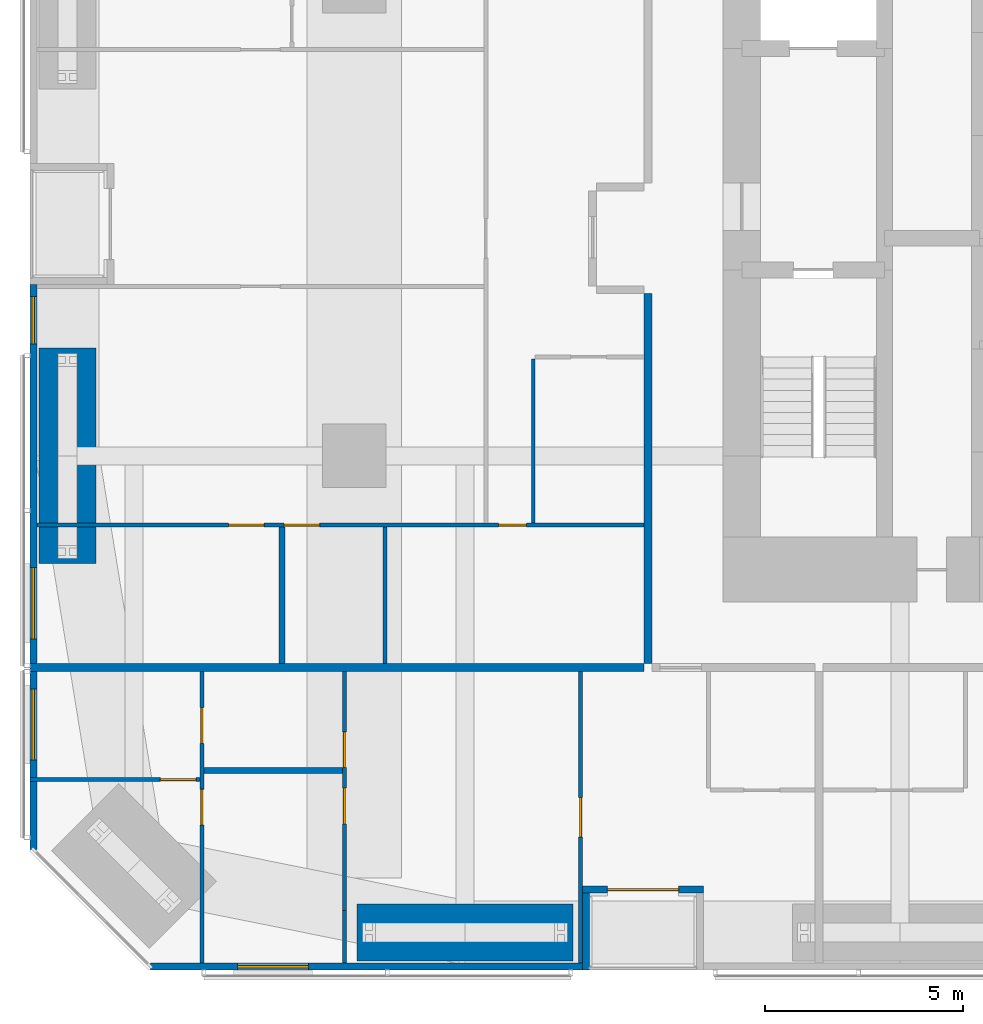
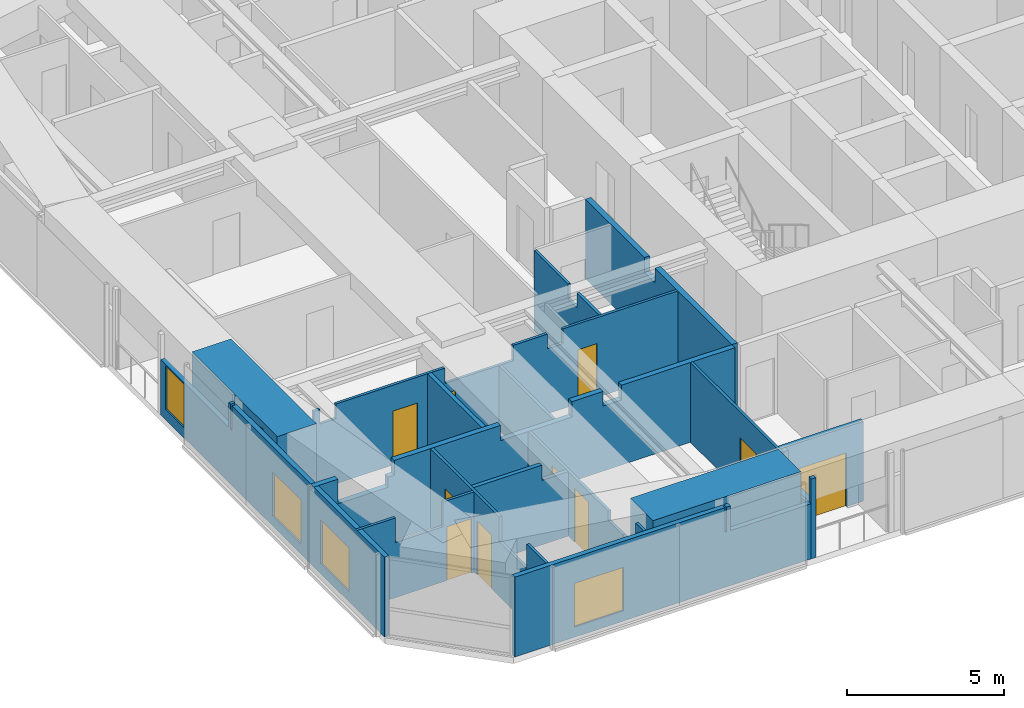
# One storey, part 16 of 23: 18 walls, 10 doors, 4 windows, 14 openings.
"""IFC4 building model written with IfcOpenShell, lengths in metres."""

import ifcopenshell
import ifcopenshell.guid

model = None  # the IFC model being written
_history = None  # IfcOwnerHistory: only IFC2X3 demands one
_inside = {}  # id of a spatial element -> (the spatial element, [elements in it])
_under = {}  # id of a project, library or spatial element -> (it, [spatial elements below it])
_declared = {}  # id of a project -> (the project, [libraries it declares])
_typed = {}  # id of a type object -> (the type object, [elements of that type])
_made_of = {}  # id of a material, layer set ... -> (it, [elements and type objects made of it])


def new_model(schema):
    """Start an empty IFC model of exactly this schema.

    Asked for "IFC4X3", IfcOpenShell would pick the latest addendum, in which some entities
    have other attributes; the version numbers below select the first issue.
    IFC2X3 requires an IfcOwnerHistory on every rooted entity: one is made here for all.
    """
    global model, _history
    if schema == "IFC4X3":
        model = ifcopenshell.file(schema_version=(4, 3, 0, 0))
    else:
        model = ifcopenshell.file(schema=schema)
    _inside.clear()
    _under.clear()
    _declared.clear()
    _typed.clear()
    _made_of.clear()
    _history = None
    if model.schema == "IFC2X3":
        org = make("IfcOrganization", Name="unknown")
        user = make(
            "IfcPersonAndOrganization",
            ThePerson=make("IfcPerson", FamilyName="unknown"),
            TheOrganization=org,
        )
        app = make(
            "IfcApplication",
            ApplicationDeveloper=org,
            Version="unknown",
            ApplicationFullName="unknown",
            ApplicationIdentifier="unknown",
        )
        _history = make(
            "IfcOwnerHistory",
            OwningUser=user,
            OwningApplication=app,
            ChangeAction="ADDED",
            CreationDate=0,
        )
    return model


def make(cls, **values):
    """One entity of the class cls with the attributes given. An attribute that is None is left unset."""
    return model.create_entity(
        cls, **{name: value for name, value in values.items() if value is not None}
    )


def rooted(cls, **values):
    """An entity with a GlobalId (a new one), such as an element, a storey or a relation."""
    return make(cls, GlobalId=ifcopenshell.guid.new(), OwnerHistory=_history, **values)


def si_unit(unit_type, name, prefix=None):
    """IfcSIUnit, for example si_unit("LENGTHUNIT", "METRE", prefix="MILLI")."""
    return make("IfcSIUnit", UnitType=unit_type, Prefix=prefix, Name=name)


def assignment(units):
    """IfcUnitAssignment: the units of a project."""
    return None if units is None else make("IfcUnitAssignment", Units=units)


def point(xyz):
    """IfcCartesianPoint."""
    return None if xyz is None else make("IfcCartesianPoint", Coordinates=xyz)


def direction(xyz):
    """IfcDirection."""
    return None if xyz is None else make("IfcDirection", DirectionRatios=xyz)


def frame(location, z_axis=None, x_axis=None):
    """IfcAxis2Placement3D, a coordinate frame: its origin and axes. An axis left out is left unset."""
    return make(
        "IfcAxis2Placement3D",
        Location=point(location),
        Axis=direction(z_axis),
        RefDirection=direction(x_axis),
    )


def frame_2d(location, x_axis=None):
    """IfcAxis2Placement2D, a coordinate frame in the plane: its origin and x axis."""
    return make(
        "IfcAxis2Placement2D", Location=point(location), RefDirection=direction(x_axis)
    )


def origin():
    """The frame at (0, 0, 0) with its axes left unset."""
    return frame((0.0, 0.0, 0.0))


def place(relative_to, where):
    """IfcLocalPlacement: puts the frame where relative to a parent placement (None: the world)."""
    return make(
        "IfcLocalPlacement", PlacementRelTo=relative_to, RelativePlacement=where
    )


def context(
    kind, dimensions, precision=None, world=None, true_north=None, identifier=None
):
    """IfcGeometricRepresentationContext, for example the 3D "Model" context."""
    return make(
        "IfcGeometricRepresentationContext",
        ContextIdentifier=identifier,
        ContextType=kind,
        CoordinateSpaceDimension=dimensions,
        Precision=precision,
        WorldCoordinateSystem=world,
        TrueNorth=true_north,
    )


def subcontext(parent, identifier, kind, view, scale=None):
    """IfcGeometricRepresentationSubContext, for example "Body" below "Model"."""
    return make(
        "IfcGeometricRepresentationSubContext",
        ContextIdentifier=identifier,
        ContextType=kind,
        ParentContext=parent,
        TargetScale=scale,
        TargetView=view,
    )


def project(units=None, contexts=None):
    """IfcProject with its units and contexts."""
    return rooted(
        "IfcProject",
        Name="project",
        RepresentationContexts=contexts,
        UnitsInContext=assignment(units),
    )


def spatial(cls, under=None, at=None, **own):
    """A site, building, storey or space (cls), placed at a placement, below another one or the project."""
    s = rooted(cls, ObjectPlacement=at, **own)
    if under is not None:
        _under.setdefault(under.id(), (under, []))[1].append(s)
    return s


def polyline(points):
    """IfcPolyline through the points."""
    return make("IfcPolyline", Points=[point(p) for p in points])


def profile(cls, at=None, kind="AREA", **sizes):
    """A parametric profile (cls). Its sizes go by their IFC names, for example OverallWidth=200.0."""
    return make(cls, ProfileType=kind, Position=at, **sizes)


def rectangle(**sizes):
    """IfcRectangleProfileDef."""
    return profile("IfcRectangleProfileDef", **sizes)


def outline(outer, holes=None, kind="AREA"):
    """IfcArbitraryClosedProfileDef: a profile drawn as a closed curve; with holes, ...WithVoids."""
    if holes is None:
        return make("IfcArbitraryClosedProfileDef", ProfileType=kind, OuterCurve=outer)
    return make(
        "IfcArbitraryProfileDefWithVoids",
        ProfileType=kind,
        OuterCurve=outer,
        InnerCurves=holes,
    )


def extrude(swept, where, along, depth):
    """IfcExtrudedAreaSolid: the profile swept, set in the frame where, extruded along a direction by depth."""
    return make(
        "IfcExtrudedAreaSolid",
        SweptArea=swept,
        Position=where,
        ExtrudedDirection=direction(along),
        Depth=depth,
    )


def shape(context_of_items, identifier, shape_type, items):
    """IfcShapeRepresentation: the items that make up one representation, for example the "Body"."""
    return make(
        "IfcShapeRepresentation",
        ContextOfItems=context_of_items,
        RepresentationIdentifier=identifier,
        RepresentationType=shape_type,
        Items=items,
    )


def material(Name=None, Category=None):
    """IfcMaterial."""
    return make("IfcMaterial", Name=Name, Category=Category)


def layer(
    of_material, thickness, ventilated=None, Name=None, Category=None, Priority=None
):
    """IfcMaterialLayer: one layer of a wall or slab, of a material (None: an air gap)."""
    return make(
        "IfcMaterialLayer",
        Material=of_material,
        LayerThickness=thickness,
        IsVentilated=ventilated,
        Name=Name,
        Category=Category,
        Priority=Priority,
    )


def layer_set(layers, Name=None):
    """IfcMaterialLayerSet."""
    return make("IfcMaterialLayerSet", MaterialLayers=layers, LayerSetName=Name)


def constituent(of_material, Name=None, Category=None, fraction=None):
    """IfcMaterialConstituent: one of the materials an element consists of."""
    return make(
        "IfcMaterialConstituent",
        Name=Name,
        Material=of_material,
        Fraction=fraction,
        Category=Category,
    )


def constituent_set(constituents=None, Name=None):
    """IfcMaterialConstituentSet."""
    return make(
        "IfcMaterialConstituentSet", Name=Name, MaterialConstituents=constituents
    )


def made_of(thing, what):
    """Note that an element or type object is made of a material, layer set ...; save() writes the relation."""
    if what is not None:
        _made_of.setdefault(what.id(), (what, []))[1].append(thing)
    return thing


def type_object(cls, material=None, **own):
    """A type object (cls), such as IfcWallType, which elements share."""
    return made_of(rooted(cls, **own), material)


def element(
    cls,
    number,
    at=None,
    inside=None,
    cuts=None,
    type_object=None,
    material=None,
    context=None,
    identifier="Body",
    shape_type=None,
    held_by="IfcProductDefinitionShape",
    body=None,
    shapes=None,
    **own,
):
    """One element of the class cls, such as IfcWall. Its Tag is "e" and its number.

    at: its placement. inside: the storey or other place that contains it. cuts: it is an
    opening in that element (IfcRelVoidsElement). A single representation is given by context,
    identifier, shape_type and body (its items); several are given by shapes. held_by: the class
    of the entity that holds the representations. save() writes the other relations.
    """
    e = rooted(cls, Tag="e%d" % number, ObjectPlacement=at, **own)
    if body is not None:
        shapes = [shape(context, identifier, shape_type, body)]
    if shapes is not None:
        e.Representation = make(held_by, Representations=shapes)
    if inside is not None:
        _inside.setdefault(inside.id(), (inside, []))[1].append(e)
    if cuts is not None:
        rooted(
            "IfcRelVoidsElement", RelatingBuildingElement=cuts, RelatedOpeningElement=e
        )
    if type_object is not None:
        _typed.setdefault(type_object.id(), (type_object, []))[1].append(e)
    return made_of(e, material)


def fill(opening, filler):
    """IfcRelFillsElement: the door or window that sits in an opening."""
    return rooted(
        "IfcRelFillsElement",
        RelatingOpeningElement=opening,
        RelatedBuildingElement=filler,
    )


def aggregate(whole, parts):
    """IfcRelAggregates: a whole, such as a stair, and the parts it consists of."""
    return rooted("IfcRelAggregates", RelatingObject=whole, RelatedObjects=parts)


def save(model, path):
    """Write the relations noted so far, then the file.

    IfcRelAggregates (storeys below a building ...), IfcRelContainedInSpatialStructure (elements
    in a storey), IfcRelDefinesByType, IfcRelAssociatesMaterial and IfcRelDeclares: one each for
    every whole, place, type object, material and project.
    """
    for whole, parts in _under.values():
        aggregate(whole, parts)
    for where, things in _inside.values():
        rooted(
            "IfcRelContainedInSpatialStructure",
            RelatedElements=things,
            RelatingStructure=where,
        )
    for kind, things in _typed.values():
        rooted("IfcRelDefinesByType", RelatedObjects=things, RelatingType=kind)
    for what, things in _made_of.values():
        rooted("IfcRelAssociatesMaterial", RelatedObjects=things, RelatingMaterial=what)
    for by, libraries in _declared.values():
        rooted("IfcRelDeclares", RelatingContext=by, RelatedDefinitions=libraries)
    model.write(path)


model = new_model("IFC4")

# Units and contexts
model_context = context("Model", 3, precision=1e-05, world=origin(), true_north=direction((0.0, 1.0)))
body_context = subcontext(model_context, "Body", "Model", "MODEL_VIEW")
ifc_project = project(units=[si_unit("LENGTHUNIT", "METRE"), si_unit("AREAUNIT", "SQUARE_METRE"), si_unit("VOLUMEUNIT", "CUBIC_METRE"), si_unit("PLANEANGLEUNIT", "RADIAN"), si_unit("MASSUNIT", "GRAM", prefix="KILO")], contexts=[model_context])

# Site, building, storey
site_placement = place(None, origin())
site = spatial("IfcSite", under=ifc_project, at=site_placement, CompositionType="ELEMENT")
building_placement = place(site_placement, origin())
building = spatial("IfcBuilding", under=site, at=building_placement, Name="Jalousie Tower", CompositionType="ELEMENT")
storey_placement = place(building_placement, frame((0.0, 0.0, 24.35009765625)))
storey = spatial("IfcBuildingStorey", under=building, at=storey_placement, Name="L05", CompositionType="ELEMENT", Elevation=24.35009765625)

# Walls
ifc_material_1 = material(Name="Concrete block ASTM C90", Category="concrete")
ifc_constituent_1 = constituent(ifc_material_1, Name="Body")
ifc_material_2 = material(Name="Render")
ifc_constituent_2 = constituent(ifc_material_2, Name="Finish")
ifc_constituent_set_1 = constituent_set(constituents=[ifc_constituent_1, ifc_constituent_2])
wall_type_1 = type_object("IfcWallType", Name="BATHROOM WALL 150", PredefinedType="PLUMBINGWALL", material=ifc_constituent_set_1)
wall_1_placement = place(storey_placement, frame((6.39990234375, 5.050048828125, 0.0), z_axis=(0.0, 0.0, 1.0), x_axis=(1.0, 0.0, 0.0)))
element("IfcWall", 1, at=wall_1_placement, inside=storey, type_object=wall_type_1, Name="Bathroom Wall 150 L05", PredefinedType="PLUMBINGWALL", context=body_context, shape_type="SweptSolid", body=[
    extrude(outline(polyline([(0.0, 0.0), (3.5, 0.0), (3.5, 3.10986328125), (3.5, 2.510009765625), (2.514892578125, 2.510009765625), (2.514892578125, 3.10986328125), (0.0, 3.10986328125), (0.0, 0.0)])), frame((0.0, 0.074951171875, 0.0), z_axis=(0.0, -1.0, 0.0), x_axis=(1.0, 0.0, 0.0)), (0.0, 0.0, 1.0), 0.14990234375),
])
wall_2_placement = place(storey_placement, frame((8.375, 7.75, 0.0), z_axis=(0.0, 0.0, 1.0), x_axis=(0.0, 1.0, 0.0)))
element("IfcWall", 2, at=wall_2_placement, inside=storey, type_object=wall_type_1, Name="Bathroom Wall 150 L05", PredefinedType="PLUMBINGWALL", context=body_context, shape_type="SweptSolid", body=[
    extrude(rectangle(XDim=3.449951171875, YDim=0.14990234375, at=frame_2d((1.72509765625, 0.0))), origin(), (0.0, 0.0, 1.0), 3.10986328125),
])
ifc_material_3 = material(Name="Concrete block ASTM C90", Category="concrete")
ifc_constituent_3 = constituent(ifc_material_3, Name="Body")
ifc_material_4 = material(Name="Render")
ifc_constituent_4 = constituent(ifc_material_4, Name="Finish")
ifc_constituent_set_2 = constituent_set(constituents=[ifc_constituent_3, ifc_constituent_4])
wall_type_2 = type_object("IfcWallType", Name="CORRIDOR WALL 200", PredefinedType="PARTITIONING", material=ifc_constituent_set_2)
wall_3_placement = place(storey_placement, frame((17.625, 7.75, 0.0), z_axis=(0.0, 0.0, 1.0), x_axis=(0.0, 1.0, 0.0)))
element("IfcWall", 3, at=wall_3_placement, inside=storey, type_object=wall_type_2, Name="Corridor Wall 200 L05", PredefinedType="PARTITIONING", context=body_context, shape_type="SweptSolid", body=[
    extrude(outline(polyline([(0.0, 0.0), (9.35009765625, 0.0), (9.35009765625, 3.10986328125), (5.58740234375, 3.10986328125), (5.58740234375, 2.541015625), (4.91259765625, 2.541015625), (4.91259765625, 3.10986328125), (0.0, 3.10986328125), (0.0, 0.0)])), frame((0.0, 0.10009765625, 0.0), z_axis=(0.0, -1.0, 0.0), x_axis=(1.0, 0.0, 0.0)), (0.0, 0.0, 1.0), 0.199951171875),
])

# Wall, opening, window
ifc_material_5 = material(Name="Concrete f'c 40 MPa", Category="concrete")
ifc_constituent_5 = constituent(ifc_material_5, Name="Body")
ifc_material_6 = material(Name="Render, pastel coral")
ifc_constituent_6 = constituent(ifc_material_6, Name="Finish")
ifc_constituent_set_3 = constituent_set(constituents=[ifc_constituent_5, ifc_constituent_6])
wall_type_3 = type_object("IfcWallType", Name="EXTERNAL WALL 175 CORAL RENDER", PredefinedType="SOLIDWALL", material=ifc_constituent_set_3)
wall_4_placement = place(storey_placement, frame((5.05126953125, 0.08740234375, 0.0), z_axis=(0.0, 0.0, 1.0), x_axis=(1.0, 0.0, 0.0)))
wall_4 = element("IfcWall", 4, at=wall_4_placement, inside=storey, type_object=wall_type_3, Name="External Wall 175 Coral Render L05", PredefinedType="SOLIDWALL", context=body_context, shape_type="SweptSolid", body=[
    extrude(outline(polyline([(0.0, 0.0), (10.923828125, 0.0), (10.923583984375, 2.14990234375), (7.94873046875, 2.14990234375), (7.94873046875, 3.10986328125), (7.79296875, 3.10986328125), (7.79296875, 2.14990234375), (7.74462890625, 2.14990234375), (7.74462890625, 3.10986328125), (0.0, 3.10986328125), (0.0, 0.0)])), frame((0.0, 0.08740234375, 0.0), z_axis=(0.0, -1.0, 0.0), x_axis=(1.0, 0.0, 0.0)), (0.0, 0.0, 1.0), 0.175048828125),
])
opening_1_placement = place(wall_4_placement, frame((2.19873046875, 0.0, 0.39990234375)))
opening_1 = element("IfcOpeningElement", 5, at=opening_1_placement, cuts=wall_4, Name="Opening W-BED170", PredefinedType="OPENING", context=body_context, shape_type="SweptSolid", body=[
    extrude(rectangle(XDim=1.800048828125, YDim=1.699951171875, at=frame_2d((0.89990234375, 0.85009765625))), frame((0.0, 0.097412109375, 0.0), z_axis=(0.0, -1.0, 0.0), x_axis=(1.0, 0.0, 0.0)), (0.0, 0.0, 1.0), 0.195068359375),
])
ifc_material_7 = material(Name="Aluminium frame, impact-rated glazing", Category="aluminium")
window_type_1 = type_object("IfcWindowType", Name="WINDOW BED 1800x1700", PartitioningType="SINGLE_PANEL", PredefinedType="WINDOW", material=ifc_material_7)
window_1_placement = place(opening_1_placement, origin())
window_1 = element("IfcWindow", 6, at=window_1_placement, inside=storey, type_object=window_type_1, Name="Apartment 0501 bedroom 2 window", OverallHeight=1.699951171875, OverallWidth=1.800048828125, PartitioningType="SINGLE_PANEL", PredefinedType="WINDOW", context=body_context, shape_type="SweptSolid", body=[
    extrude(rectangle(XDim=1.800048828125, YDim=1.699951171875, at=frame_2d((0.89990234375, 0.85009765625))), frame((0.0, 0.030029296875, 0.0), z_axis=(0.0, -1.0, 0.0), x_axis=(1.0, 0.0, 0.0)), (0.0, 0.0, 1.0), 0.06005859375),
])
fill(opening_1, window_1)

# Wall, opening, door
wall_5_placement = place(storey_placement, frame((15.97509765625, 2.03759765625, 0.0), z_axis=(0.0, 0.0, 1.0), x_axis=(1.0, 0.0, 0.0)))
wall_5 = element("IfcWall", 7, at=wall_5_placement, inside=storey, type_object=wall_type_3, Name="External Wall 175 Coral Render L05", PredefinedType="SOLIDWALL", context=body_context, shape_type="SweptSolid", body=[
    extrude(rectangle(XDim=3.0498046875, YDim=0.175048828125, at=frame_2d((1.52490234375, 0.0))), origin(), (0.0, 0.0, 1.0), 3.10986328125),
])
opening_2_placement = place(wall_5_placement, frame((0.625, 0.0, 0.0)))
opening_2 = element("IfcOpeningElement", 8, at=opening_2_placement, cuts=wall_5, Name="Opening D-BAL21", PredefinedType="OPENING", context=body_context, shape_type="SweptSolid", body=[
    extrude(rectangle(XDim=1.800048828125, YDim=2.10009765625, at=frame_2d((0.89990234375, 1.050048828125))), frame((0.0, 0.097412109375, 0.0), z_axis=(0.0, -1.0, 0.0), x_axis=(1.0, 0.0, 0.0)), (0.0, 0.0, 1.0), 0.195068359375),
])
ifc_material_8 = material(Name="Aluminium frame, impact-rated glazing", Category="aluminium")
door_type_1 = type_object("IfcDoorType", Name="BALCONY DOOR 1800x2100", OperationType="SLIDING_TO_LEFT", PredefinedType="DOOR", material=ifc_material_8)
door_1_placement = place(opening_2_placement, origin())
door_1 = element("IfcDoor", 9, at=door_1_placement, inside=storey, type_object=door_type_1, Name="Apartment 0501 living room loggia door", OperationType="SLIDING_TO_LEFT", OverallHeight=2.10009765625, OverallWidth=1.800048828125, PredefinedType="DOOR", context=body_context, shape_type="SweptSolid", body=[
    extrude(rectangle(XDim=1.800048828125, YDim=2.10009765625, at=frame_2d((0.89990234375, 1.050048828125))), frame((0.0, 0.02490234375, 0.0), z_axis=(0.0, -1.0, 0.0), x_axis=(1.0, 0.0, 0.0)), (0.0, 0.0, 1.0), 0.050048828125),
])
fill(opening_2, door_1)

# Wall
wall_6_placement = place(storey_placement, frame((16.0625, 0.0, 0.0), z_axis=(0.0, 0.0, 1.0), x_axis=(0.0, 1.0, 0.0)))
element("IfcWall", 10, at=wall_6_placement, inside=storey, type_object=wall_type_3, Name="External Wall 175 Coral Render L05", PredefinedType="SOLIDWALL", context=body_context, shape_type="SweptSolid", body=[
    extrude(outline(polyline([(0.0, 0.0), (1.949951171875, 0.0), (1.949951171875, 3.10986328125), (1.75, 3.10986328125), (1.75, 2.14990234375), (0.14990234375, 2.14990234375), (0.14990234375, 3.10986328125), (0.0, 3.10986328125), (0.0, 0.0)])), frame((0.0, 0.08740234375, 0.0), z_axis=(0.0, -1.0, 0.0), x_axis=(1.0, 0.0, 0.0)), (0.0, 0.0, 1.0), 0.175048828125),
])

# Wall, openings, windows
wall_7_placement = place(storey_placement, frame((2.08740234375, 17.333251953125, 0.0), z_axis=(0.0, 0.0, 1.0), x_axis=(0.0, -1.0, 0.0)))
wall_7 = element("IfcWall", 11, at=wall_7_placement, inside=storey, type_object=wall_type_3, Name="External Wall 175 Coral Render L05", PredefinedType="SOLIDWALL", context=body_context, shape_type="SweptSolid", body=[
    extrude(outline(polyline([(0.0, 0.0), (14.281982421875, 0.0), (14.281982421875, 3.10986328125), (4.552001953125, 3.10986328125), (4.552001953125, 2.14990234375), (4.458984375, 2.14990234375), (4.458984375, 3.10986328125), (4.333251953125, 3.10986328125), (4.333251953125, 2.14990234375), (0.0, 2.14990234375), (0.0, 0.0)])), frame((0.0, 0.08740234375, 0.0), z_axis=(0.0, -1.0, 0.0), x_axis=(1.0, 0.0, 0.0)), (0.0, 0.0, 1.0), 0.175048828125),
])
opening_3_placement = place(wall_7_placement, frame((0.300048828125, 0.0, 0.39990234375)))
opening_3 = element("IfcOpeningElement", 12, at=opening_3_placement, cuts=wall_7, Name="Opening W-COR170", PredefinedType="OPENING", context=body_context, shape_type="SweptSolid", body=[
    extrude(rectangle(XDim=1.199951171875, YDim=1.699951171875, at=frame_2d((0.60009765625, 0.85009765625))), frame((0.0, 0.097412109375, 0.0), z_axis=(0.0, -1.0, 0.0), x_axis=(1.0, 0.0, 0.0)), (0.0, 0.0, 1.0), 0.195068359375),
])
opening_4_placement = place(wall_7_placement, frame((7.158203125, 0.0, 0.39990234375)))
opening_4 = element("IfcOpeningElement", 13, at=opening_4_placement, cuts=wall_7, Name="Opening W-BED170", PredefinedType="OPENING", context=body_context, shape_type="SweptSolid", body=[
    extrude(rectangle(XDim=1.800048828125, YDim=1.699951171875, at=frame_2d((0.89990234375, 0.85009765625))), frame((0.0, 0.097412109375, 0.0), z_axis=(0.0, -1.0, 0.0), x_axis=(1.0, 0.0, 0.0)), (0.0, 0.0, 1.0), 0.195068359375),
])
opening_5_placement = place(wall_7_placement, frame((10.224609375, 0.0, 0.39990234375)))
opening_5 = element("IfcOpeningElement", 14, at=opening_5_placement, cuts=wall_7, Name="Opening W-BED170", PredefinedType="OPENING", context=body_context, shape_type="SweptSolid", body=[
    extrude(rectangle(XDim=1.800048828125, YDim=1.699951171875, at=frame_2d((0.89990234375, 0.85009765625))), frame((0.0, 0.097412109375, 0.0), z_axis=(0.0, -1.0, 0.0), x_axis=(1.0, 0.0, 0.0)), (0.0, 0.0, 1.0), 0.195068359375),
])
window_2_placement = place(opening_4_placement, origin())
window_2 = element("IfcWindow", 15, at=window_2_placement, inside=storey, type_object=window_type_1, Name="Apartment 0506 bedroom 1 window", OverallHeight=1.699951171875, OverallWidth=1.800048828125, PartitioningType="SINGLE_PANEL", PredefinedType="WINDOW", context=body_context, shape_type="SweptSolid", body=[
    extrude(rectangle(XDim=1.800048828125, YDim=1.699951171875, at=frame_2d((0.89990234375, 0.85009765625))), frame((0.0, 0.030029296875, 0.0), z_axis=(0.0, -1.0, 0.0), x_axis=(1.0, 0.0, 0.0)), (0.0, 0.0, 1.0), 0.06005859375),
])
fill(opening_4, window_2)
window_3_placement = place(opening_5_placement, origin())
window_3 = element("IfcWindow", 16, at=window_3_placement, inside=storey, type_object=window_type_1, Name="Apartment 0501 bedroom 1 window", OverallHeight=1.699951171875, OverallWidth=1.800048828125, PartitioningType="SINGLE_PANEL", PredefinedType="WINDOW", context=body_context, shape_type="SweptSolid", body=[
    extrude(rectangle(XDim=1.800048828125, YDim=1.699951171875, at=frame_2d((0.89990234375, 0.85009765625))), frame((0.0, 0.030029296875, 0.0), z_axis=(0.0, -1.0, 0.0), x_axis=(1.0, 0.0, 0.0)), (0.0, 0.0, 1.0), 0.06005859375),
])
fill(opening_5, window_3)
ifc_material_9 = material(Name="Aluminium frame, impact-rated glazing", Category="aluminium")
window_type_2 = type_object("IfcWindowType", Name="WINDOW COR 1200x1700", PartitioningType="SINGLE_PANEL", PredefinedType="WINDOW", material=ifc_material_9)
window_4_placement = place(opening_3_placement, origin())
window_4 = element("IfcWindow", 17, at=window_4_placement, inside=storey, type_object=window_type_2, Name="Apartment 0506 dining room window", OverallHeight=1.699951171875, OverallWidth=1.199951171875, PartitioningType="SINGLE_PANEL", PredefinedType="WINDOW", context=body_context, shape_type="SweptSolid", body=[
    extrude(rectangle(XDim=1.199951171875, YDim=1.699951171875, at=frame_2d((0.60009765625, 0.85009765625))), frame((0.0, 0.030029296875, 0.0), z_axis=(0.0, -1.0, 0.0), x_axis=(1.0, 0.0, 0.0)), (0.0, 0.0, 1.0), 0.06005859375),
])
fill(opening_3, window_4)

# Wall, openings, doors
ifc_material_10 = material(Name="Gypsum board", Category="gypsum")
ifc_constituent_7 = constituent(ifc_material_10, Name="Body")
ifc_material_11 = material(Name="Light-gauge steel studs ASTM A653 SS Grade 33", Category="steel")
ifc_constituent_8 = constituent(ifc_material_11, Name="Framing")
ifc_constituent_set_4 = constituent_set(constituents=[ifc_constituent_7, ifc_constituent_8])
wall_type_4 = type_object("IfcWallType", Name="PARTITION 100", PredefinedType="PARTITIONING", material=ifc_constituent_set_4)
wall_8_placement = place(storey_placement, frame((6.35009765625, 0.175048828125, 0.0), z_axis=(0.0, 0.0, 1.0), x_axis=(0.0, 1.0, 0.0)))
wall_8 = element("IfcWall", 18, at=wall_8_placement, inside=storey, type_object=wall_type_4, Name="Partition 100 L05", PredefinedType="PARTITIONING", context=body_context, shape_type="SweptSolid", body=[
    extrude(outline(polyline([(0.0, 0.0), (7.375, 0.0), (7.375, 3.10986328125), (2.98828125, 3.10986328125), (2.98828125, 2.14990234375), (1.23388671875, 2.14990234375), (1.23388671875, 3.10986328125), (0.0, 3.10986328125), (0.0, 0.0)])), frame((0.0, 0.050048828125, 0.0), z_axis=(0.0, -1.0, 0.0), x_axis=(1.0, 0.0, 0.0)), (0.0, 0.0, 1.0), 0.10009765625),
])
opening_6_placement = place(wall_8_placement, frame((3.492431640625, 0.0, 0.0)))
opening_6 = element("IfcOpeningElement", 19, at=opening_6_placement, cuts=wall_8, Name="Opening D2", PredefinedType="OPENING", context=body_context, shape_type="SweptSolid", body=[
    extrude(rectangle(XDim=0.89990234375, YDim=2.10009765625, at=frame_2d((0.449951171875, 1.050048828125))), frame((0.0, 0.06005859375, 0.0), z_axis=(0.0, -1.0, 0.0), x_axis=(1.0, 0.0, 0.0)), (0.0, 0.0, 1.0), 0.1201171875),
])
opening_7_placement = place(wall_8_placement, frame((5.55859375, 0.0, 0.0)))
opening_7 = element("IfcOpeningElement", 20, at=opening_7_placement, cuts=wall_8, Name="Opening D3", PredefinedType="OPENING", context=body_context, shape_type="SweptSolid", body=[
    extrude(rectangle(XDim=0.89990234375, YDim=2.10009765625, at=frame_2d((0.449951171875, 1.050048828125))), frame((0.0, 0.06005859375, 0.0), z_axis=(0.0, -1.0, 0.0), x_axis=(1.0, 0.0, 0.0)), (0.0, 0.0, 1.0), 0.1201171875),
])
ifc_material_12 = material(Name="Timber door", Category="wood")
door_type_2 = type_object("IfcDoorType", Name="BATHROOM DOOR 900", OperationType="SINGLE_SWING_LEFT", PredefinedType="DOOR", material=ifc_material_12)
door_2_placement = place(opening_7_placement, frame((0.89990234375, 0.0, 0.0), z_axis=(0.0, 0.0, 1.0), x_axis=(-1.0, 0.0, 0.0)))
door_2 = element("IfcDoor", 21, at=door_2_placement, inside=storey, type_object=door_type_2, Name="Apartment 0501 bedroom 1 bathroom door", OperationType="SINGLE_SWING_RIGHT", OverallHeight=2.10009765625, OverallWidth=0.89990234375, PredefinedType="DOOR", context=body_context, shape_type="SweptSolid", body=[
    extrude(rectangle(XDim=0.89990234375, YDim=2.10009765625, at=frame_2d((0.449951171875, 1.050048828125))), frame((0.0, 0.02490234375, 0.0), z_axis=(0.0, -1.0, 0.0), x_axis=(1.0, 0.0, 0.0)), (0.0, 0.0, 1.0), 0.050048828125),
])
fill(opening_7, door_2)
ifc_material_13 = material(Name="Timber door", Category="wood")
door_type_3 = type_object("IfcDoorType", Name="BEDROOM DOOR 900", OperationType="SINGLE_SWING_LEFT", PredefinedType="DOOR", material=ifc_material_13)
door_3_placement = place(opening_6_placement, frame((0.89990234375, 0.0, 0.0), z_axis=(0.0, 0.0, 1.0), x_axis=(-1.0, 0.0, 0.0)))
door_3 = element("IfcDoor", 22, at=door_3_placement, inside=storey, type_object=door_type_3, Name="Apartment 0501 bedroom 1 door", OperationType="SINGLE_SWING_LEFT", OverallHeight=2.10009765625, OverallWidth=0.89990234375, PredefinedType="DOOR", context=body_context, shape_type="SweptSolid", body=[
    extrude(rectangle(XDim=0.89990234375, YDim=2.10009765625, at=frame_2d((0.449951171875, 1.050048828125))), frame((0.0, 0.02490234375, 0.0), z_axis=(0.0, -1.0, 0.0), x_axis=(1.0, 0.0, 0.0)), (0.0, 0.0, 1.0), 0.050048828125),
])
fill(opening_6, door_3)

# Wall
wall_9_placement = place(storey_placement, frame((9.949951171875, 0.175048828125, 0.0), z_axis=(0.0, 0.0, 1.0), x_axis=(0.0, 1.0, 0.0)))
element("IfcWall", 23, at=wall_9_placement, inside=storey, type_object=wall_type_4, Name="Partition 100 L05-A", PredefinedType="PARTITIONING", context=body_context, shape_type="SweptSolid", body=[
    extrude(outline(polyline([(0.0, 0.0), (1.337646484375, 0.0), (1.337646484375, 2.14990234375), (0.510498046875, 2.14990234375), (0.510498046875, 3.10986328125), (0.0, 3.10986328125), (0.0, 0.0)])), frame((0.0, 0.050048828125, 0.0), z_axis=(0.0, -1.0, 0.0), x_axis=(1.0, 0.0, 0.0)), (0.0, 0.0, 1.0), 0.10009765625),
])

# Wall, openings, doors
wall_10_placement = place(storey_placement, frame((9.949951171875, 1.5126953125, 0.0), z_axis=(0.0, 0.0, 1.0), x_axis=(0.0, 1.0, 0.0)))
wall_10 = element("IfcWall", 24, at=wall_10_placement, inside=storey, type_object=wall_type_4, Name="Partition 100 L05-B", PredefinedType="PARTITIONING", context=body_context, shape_type="SweptSolid", body=[
    extrude(outline(polyline([(0.0, 0.0), (6.037353515625, 0.0), (6.037353515625, 2.510009765625), (0.927490234375, 2.510009765625), (0.927490234375, 2.14990234375), (0.0, 2.14990234375), (0.0, 0.0)])), frame((0.0, 0.050048828125, 0.0), z_axis=(0.0, -1.0, 0.0), x_axis=(1.0, 0.0, 0.0)), (0.0, 0.0, 1.0), 0.10009765625),
])
opening_8_placement = place(wall_10_placement, frame((2.1875, 0.0, 0.0)))
opening_8 = element("IfcOpeningElement", 25, at=opening_8_placement, cuts=wall_10, Name="Opening D2", PredefinedType="OPENING", context=body_context, shape_type="SweptSolid", body=[
    extrude(rectangle(XDim=0.89990234375, YDim=2.10009765625, at=frame_2d((0.449951171875, 1.050048828125))), frame((0.0, 0.06005859375, 0.0), z_axis=(0.0, -1.0, 0.0), x_axis=(1.0, 0.0, 0.0)), (0.0, 0.0, 1.0), 0.1201171875),
])
opening_9_placement = place(wall_10_placement, frame((3.6123046875, 0.0, 0.0)))
opening_9 = element("IfcOpeningElement", 26, at=opening_9_placement, cuts=wall_10, Name="Opening D7", PredefinedType="OPENING", context=body_context, shape_type="SweptSolid", body=[
    extrude(rectangle(XDim=0.89990234375, YDim=2.10009765625, at=frame_2d((0.449951171875, 1.050048828125))), frame((0.0, 0.06005859375, 0.0), z_axis=(0.0, -1.0, 0.0), x_axis=(1.0, 0.0, 0.0)), (0.0, 0.0, 1.0), 0.1201171875),
])
door_4_placement = place(opening_8_placement, origin())
door_4 = element("IfcDoor", 27, at=door_4_placement, inside=storey, type_object=door_type_3, Name="Apartment 0501 bedroom 2 door", OperationType="SINGLE_SWING_RIGHT", OverallHeight=2.10009765625, OverallWidth=0.89990234375, PredefinedType="DOOR", context=body_context, shape_type="SweptSolid", body=[
    extrude(rectangle(XDim=0.89990234375, YDim=2.10009765625, at=frame_2d((0.449951171875, 1.050048828125))), frame((0.0, 0.02490234375, 0.0), z_axis=(0.0, -1.0, 0.0), x_axis=(1.0, 0.0, 0.0)), (0.0, 0.0, 1.0), 0.050048828125),
])
fill(opening_8, door_4)
ifc_material_14 = material(Name="Timber door", Category="wood")
door_type_4 = type_object("IfcDoorType", Name="INTERNAL DOOR 900", OperationType="SINGLE_SWING_LEFT", PredefinedType="DOOR", material=ifc_material_14)
door_5_placement = place(opening_9_placement, origin())
door_5 = element("IfcDoor", 28, at=door_5_placement, inside=storey, type_object=door_type_4, Name="Apartment 0501 bathroom door", OperationType="SINGLE_SWING_LEFT", OverallHeight=2.10009765625, OverallWidth=0.89990234375, PredefinedType="DOOR", context=body_context, shape_type="SweptSolid", body=[
    extrude(rectangle(XDim=0.89990234375, YDim=2.10009765625, at=frame_2d((0.449951171875, 1.050048828125))), frame((0.0, 0.02490234375, 0.0), z_axis=(0.0, -1.0, 0.0), x_axis=(1.0, 0.0, 0.0)), (0.0, 0.0, 1.0), 0.050048828125),
])
fill(opening_9, door_5)

# Wall, opening, door
wall_11_placement = place(storey_placement, frame((2.0, 4.8173828125, 0.0), z_axis=(0.0, 0.0, 1.0), x_axis=(1.0, 0.0, 0.0)))
wall_11 = element("IfcWall", 29, at=wall_11_placement, inside=storey, type_object=wall_type_4, Name="Partition 100 L05", PredefinedType="PARTITIONING", context=body_context, shape_type="SweptSolid", body=[
    extrude(outline(polyline([(0.0, 0.0), (4.300048828125, 0.0), (4.300048828125, 3.10986328125), (3.148193359375, 3.10986328125), (3.148193359375, 2.14990234375), (1.40576171875, 2.14990234375), (1.40576171875, 3.10986328125), (0.0, 3.10986328125), (0.0, 0.0)])), frame((0.0, 0.050048828125, 0.0), z_axis=(0.0, -1.0, 0.0), x_axis=(1.0, 0.0, 0.0)), (0.0, 0.0, 1.0), 0.10009765625),
])
opening_10_placement = place(wall_11_placement, frame((3.300048828125, 0.0, 0.0)))
opening_10 = element("IfcOpeningElement", 30, at=opening_10_placement, cuts=wall_11, Name="Opening D7", PredefinedType="OPENING", context=body_context, shape_type="SweptSolid", body=[
    extrude(rectangle(XDim=0.89990234375, YDim=2.10009765625, at=frame_2d((0.449951171875, 1.050048828125))), frame((0.0, 0.06005859375, 0.0), z_axis=(0.0, -1.0, 0.0), x_axis=(1.0, 0.0, 0.0)), (0.0, 0.0, 1.0), 0.1201171875),
])
door_6_placement = place(opening_10_placement, origin())
door_6 = element("IfcDoor", 31, at=door_6_placement, inside=storey, type_object=door_type_4, Name="Apartment 0501 bedroom 1 dressing hall door", OperationType="SINGLE_SWING_RIGHT", OverallHeight=2.10009765625, OverallWidth=0.89990234375, PredefinedType="DOOR", context=body_context, shape_type="SweptSolid", body=[
    extrude(rectangle(XDim=0.89990234375, YDim=2.10009765625, at=frame_2d((0.449951171875, 1.050048828125))), frame((0.0, 0.02490234375, 0.0), z_axis=(0.0, -1.0, 0.0), x_axis=(1.0, 0.0, 0.0)), (0.0, 0.0, 1.0), 0.050048828125),
])
fill(opening_10, door_6)

wall_12_placement = place(storey_placement, frame((15.925048828125, 0.175048828125, 0.0), z_axis=(0.0, 0.0, 1.0), x_axis=(0.0, 1.0, 0.0)))
wall_12 = element("IfcWall", 32, at=wall_12_placement, inside=storey, type_object=wall_type_4, Name="Partition 100 L05", PredefinedType="PARTITIONING", context=body_context, shape_type="SweptSolid", body=[
    extrude(outline(polyline([(0.0, 0.0), (7.375, 0.0), (7.375, 3.10986328125), (1.635009765625, 3.10986328125), (1.635009765625, 2.14990234375), (0.0, 2.14990234375), (0.0, 3.10986328125), (0.0, 0.0)])), frame((0.0, 0.050048828125, 0.0), z_axis=(0.0, -1.0, 0.0), x_axis=(1.0, 0.0, 0.0)), (0.0, 0.0, 1.0), 0.10009765625),
])
opening_11_placement = place(wall_12_placement, frame((3.1875, 0.0, 0.0)))
opening_11 = element("IfcOpeningElement", 33, at=opening_11_placement, cuts=wall_12, Name="Opening D6", PredefinedType="OPENING", context=body_context, shape_type="SweptSolid", body=[
    extrude(rectangle(XDim=1.0, YDim=2.10009765625, at=frame_2d((0.5, 1.050048828125))), frame((0.0, 0.06005859375, 0.0), z_axis=(0.0, -1.0, 0.0), x_axis=(1.0, 0.0, 0.0)), (0.0, 0.0, 1.0), 0.1201171875),
])
ifc_material_15 = material(Name="Timber door", Category="wood")
door_type_5 = type_object("IfcDoorType", Name="INTERNAL DOOR 1000", OperationType="SINGLE_SWING_LEFT", PredefinedType="DOOR", material=ifc_material_15)
door_7_placement = place(opening_11_placement, origin())
door_7 = element("IfcDoor", 34, at=door_7_placement, inside=storey, type_object=door_type_5, Name="Apartment 0501 dining room door", OperationType="SINGLE_SWING_LEFT", OverallHeight=2.10009765625, OverallWidth=1.0, PredefinedType="DOOR", context=body_context, shape_type="SweptSolid", body=[
    extrude(rectangle(XDim=1.0, YDim=2.10009765625, at=frame_2d((0.5, 1.050048828125))), frame((0.0, 0.02490234375, 0.0), z_axis=(0.0, -1.0, 0.0), x_axis=(1.0, 0.0, 0.0)), (0.0, 0.0, 1.0), 0.050048828125),
])
fill(opening_11, door_7)

# Wall, openings, doors
wall_13_placement = place(storey_placement, frame((2.175048828125, 11.25, 0.0), z_axis=(0.0, 0.0, 1.0), x_axis=(1.0, 0.0, 0.0)))
wall_13 = element("IfcWall", 35, at=wall_13_placement, inside=storey, type_object=wall_type_4, Name="Partition 100 L05", PredefinedType="PARTITIONING", context=body_context, shape_type="SweptSolid", body=[
    extrude(outline(polyline([(0.1875, 3.10986328125), (0.0, 3.10986328125), (0.0, 0.0), (0.52880859375, 0.0), (0.52880859375, 0.2626953125), (1.021240234375, 0.2626953125), (1.021240234375, 0.0), (15.35009765625, 0.0), (15.35009765625, 3.10986328125), (11.1123046875, 3.10986328125), (11.1123046875, 2.541015625), (10.53759765625, 2.541015625), (10.53759765625, 3.10986328125), (9.284912109375, 3.10986328125), (9.284912109375, 2.510009765625), (6.764892578125, 2.510009765625), (6.764892578125, 3.10986328125), (2.743896484375, 3.10986328125), (2.743896484375, 2.541015625), (2.169189453125, 2.541015625), (2.169189453125, 3.10986328125), (1.929931640625, 3.10986328125), (1.929931640625, 2.14990234375), (1.021240234375, 2.14990234375), (1.021240234375, 1.88720703125), (0.52880859375, 1.88720703125), (0.52880859375, 2.14990234375), (0.1875, 2.14990234375), (0.1875, 3.10986328125)])), frame((0.0, 0.050048828125, 0.0), z_axis=(0.0, -1.0, 0.0), x_axis=(1.0, 0.0, 0.0)), (0.0, 0.0, 1.0), 0.10009765625),
])
opening_12_placement = place(wall_13_placement, frame((4.85009765625, 0.0, 0.0)))
opening_12 = element("IfcOpeningElement", 36, at=opening_12_placement, cuts=wall_13, Name="Opening D2", PredefinedType="OPENING", context=body_context, shape_type="SweptSolid", body=[
    extrude(rectangle(XDim=0.89990234375, YDim=2.10009765625, at=frame_2d((0.449951171875, 1.050048828125))), frame((0.0, 0.06005859375, 0.0), z_axis=(0.0, -1.0, 0.0), x_axis=(1.0, 0.0, 0.0)), (0.0, 0.0, 1.0), 0.1201171875),
])
opening_13_placement = place(wall_13_placement, frame((6.25, 0.0, 0.0)))
opening_13 = element("IfcOpeningElement", 37, at=opening_13_placement, cuts=wall_13, Name="Opening D7", PredefinedType="OPENING", context=body_context, shape_type="SweptSolid", body=[
    extrude(rectangle(XDim=0.89990234375, YDim=2.10009765625, at=frame_2d((0.449951171875, 1.050048828125))), frame((0.0, 0.06005859375, 0.0), z_axis=(0.0, -1.0, 0.0), x_axis=(1.0, 0.0, 0.0)), (0.0, 0.0, 1.0), 0.1201171875),
])
opening_14_placement = place(wall_13_placement, frame((11.675048828125, 0.0, 0.0)))
opening_14 = element("IfcOpeningElement", 38, at=opening_14_placement, cuts=wall_13, Name="Opening D4", PredefinedType="OPENING", context=body_context, shape_type="SweptSolid", body=[
    extrude(rectangle(XDim=0.699951171875, YDim=2.10009765625, at=frame_2d((0.35009765625, 1.050048828125))), frame((0.0, 0.06005859375, 0.0), z_axis=(0.0, -1.0, 0.0), x_axis=(1.0, 0.0, 0.0)), (0.0, 0.0, 1.0), 0.1201171875),
])
door_8_placement = place(opening_12_placement, frame((0.89990234375, 0.0, 0.0), z_axis=(0.0, 0.0, 1.0), x_axis=(-1.0, 0.0, 0.0)))
door_8 = element("IfcDoor", 39, at=door_8_placement, inside=storey, type_object=door_type_3, Name="Apartment 0506 bedroom 1 door", OperationType="SINGLE_SWING_LEFT", OverallHeight=2.10009765625, OverallWidth=0.89990234375, PredefinedType="DOOR", context=body_context, shape_type="SweptSolid", body=[
    extrude(rectangle(XDim=0.89990234375, YDim=2.10009765625, at=frame_2d((0.449951171875, 1.050048828125))), frame((0.0, 0.02490234375, 0.0), z_axis=(0.0, -1.0, 0.0), x_axis=(1.0, 0.0, 0.0)), (0.0, 0.0, 1.0), 0.050048828125),
])
fill(opening_12, door_8)
door_9_placement = place(opening_13_placement, frame((0.89990234375, 0.0, 0.0), z_axis=(0.0, 0.0, 1.0), x_axis=(-1.0, 0.0, 0.0)))
door_9 = element("IfcDoor", 40, at=door_9_placement, inside=storey, type_object=door_type_4, Name="Apartment 0506 bathroom door", OperationType="SINGLE_SWING_RIGHT", OverallHeight=2.10009765625, OverallWidth=0.89990234375, PredefinedType="DOOR", context=body_context, shape_type="SweptSolid", body=[
    extrude(rectangle(XDim=0.89990234375, YDim=2.10009765625, at=frame_2d((0.449951171875, 1.050048828125))), frame((0.0, 0.02490234375, 0.0), z_axis=(0.0, -1.0, 0.0), x_axis=(1.0, 0.0, 0.0)), (0.0, 0.0, 1.0), 0.050048828125),
])
fill(opening_13, door_9)
ifc_material_16 = material(Name="Timber door", Category="wood")
door_type_6 = type_object("IfcDoorType", Name="STORE DOOR 700", OperationType="SINGLE_SWING_LEFT", PredefinedType="DOOR", material=ifc_material_16)
door_10_placement = place(opening_14_placement, frame((0.699951171875, 0.0, 0.0), z_axis=(0.0, 0.0, 1.0), x_axis=(-1.0, 0.0, 0.0)))
door_10 = element("IfcDoor", 41, at=door_10_placement, inside=storey, type_object=door_type_6, Name="Apartment 0506 store door", OperationType="SINGLE_SWING_RIGHT", OverallHeight=2.10009765625, OverallWidth=0.699951171875, PredefinedType="DOOR", context=body_context, shape_type="SweptSolid", body=[
    extrude(rectangle(XDim=0.699951171875, YDim=2.10009765625, at=frame_2d((0.35009765625, 1.050048828125))), frame((0.0, 0.02490234375, 0.0), z_axis=(0.0, -1.0, 0.0), x_axis=(1.0, 0.0, 0.0)), (0.0, 0.0, 1.0), 0.050048828125),
])
fill(opening_14, door_10)

# Walls
wall_14_placement = place(storey_placement, frame((10.97509765625, 7.75, 0.0), z_axis=(0.0, 0.0, 1.0), x_axis=(0.0, 1.0, 0.0)))
element("IfcWall", 42, at=wall_14_placement, inside=storey, type_object=wall_type_4, Name="Partition 100 L05", PredefinedType="PARTITIONING", context=body_context, shape_type="SweptSolid", body=[
    extrude(outline(polyline([(0.0, 0.0), (3.449951171875, 0.0), (3.449951171875, 3.10986328125), (3.449951171875, 2.510009765625), (0.0, 2.510009765625), (0.0, 3.10986328125), (0.0, 0.0)])), frame((0.0, 0.050048828125, 0.0), z_axis=(0.0, -1.0, 0.0), x_axis=(1.0, 0.0, 0.0)), (0.0, 0.0, 1.0), 0.10009765625),
])
wall_15_placement = place(storey_placement, frame((14.72509765625, 11.300048828125, 0.0), z_axis=(0.0, 0.0, 1.0), x_axis=(0.0, 1.0, 0.0)))
element("IfcWall", 43, at=wall_15_placement, inside=storey, type_object=wall_type_4, Name="Partition 100 L05", PredefinedType="PARTITIONING", context=body_context, shape_type="SweptSolid", body=[
    extrude(outline(polyline([(0.0, 0.0), (4.14990234375, 0.0), (4.14990234375, 3.10986328125), (1.9873046875, 3.10986328125), (1.9873046875, 2.541015625), (1.41259765625, 2.541015625), (1.41259765625, 3.10986328125), (0.0, 3.10986328125), (0.0, 0.0)])), frame((0.0, 0.050048828125, 0.0), z_axis=(0.0, -1.0, 0.0), x_axis=(1.0, 0.0, 0.0)), (0.0, 0.0, 1.0), 0.10009765625),
])
ifc_material_17 = material(Name="Concrete block ASTM C90", Category="concrete")
ifc_constituent_9 = constituent(ifc_material_17, Name="Body")
ifc_material_18 = material(Name="Render")
ifc_constituent_10 = constituent(ifc_material_18, Name="Finish")
ifc_constituent_set_5 = constituent_set(constituents=[ifc_constituent_9, ifc_constituent_10])
wall_type_5 = type_object("IfcWallType", Name="PARTY WALL 200", PredefinedType="PARTITIONING", material=ifc_constituent_set_5)
wall_16_placement = place(storey_placement, frame((2.0, 7.64990234375, 0.0), z_axis=(0.0, 0.0, 1.0), x_axis=(1.0, 0.0, 0.0)))
element("IfcWall", 44, at=wall_16_placement, inside=storey, type_object=wall_type_5, Name="Party Wall 200 L05", PredefinedType="PARTITIONING", context=body_context, shape_type="SweptSolid", body=[
    extrude(outline(polyline([(0.0, 0.0), (15.52490234375, 0.0), (15.52490234375, 3.10986328125), (11.33740234375, 3.10986328125), (11.33740234375, 2.541015625), (10.66259765625, 2.541015625), (10.66259765625, 3.10986328125), (9.510009765625, 3.10986328125), (9.510009765625, 2.510009765625), (6.889892578125, 2.510009765625), (6.889892578125, 3.10986328125), (2.96875, 3.10986328125), (2.96875, 2.541015625), (2.739501953125, 2.541015625), (2.739501953125, 2.14990234375), (0.895751953125, 2.14990234375), (0.895751953125, 3.10986328125), (0.0, 3.10986328125), (0.0, 0.0)])), frame((0.0, 0.10009765625, 0.0), z_axis=(0.0, -1.0, 0.0), x_axis=(1.0, 0.0, 0.0)), (0.0, 0.0, 1.0), 0.199951171875),
])
ifc_material_19 = material(Name="Concrete f'c 120 MPa", Category="concrete")
ifc_layer = layer(ifc_material_19, 1.449951171875)
ifc_layer_set = layer_set([ifc_layer], Name="Concrete f'c 120 MPa")
wall_type_6 = type_object("IfcWallType", Name="RC WALL PIER 1450", PredefinedType="SHEAR", material=ifc_layer_set)
for number, where, z_axis, x_axis, name in (
    (45, (10.27490234375, 0.949951171875, 0.0), (0.0, 0.0, 1.0), (1.0, 0.0, 0.0), "Wall pier 02 L05"),
    (46, (2.949951171875, 10.27490234375, 0.0), (0.0, 0.0, 1.0), (0.0, 1.0, 0.0), "Wall pier 14 L05"),
):
    element("IfcWall", number, at=place(storey_placement, frame(where, z_axis=z_axis, x_axis=x_axis)), inside=storey, type_object=wall_type_6, Name=name, PredefinedType="SHEAR", context=body_context, shape_type="SweptSolid", body=[
        extrude(rectangle(XDim=5.4501953125, YDim=1.449951171875, at=frame_2d((2.72509765625, 0.0))), origin(), (0.0, 0.0, 1.0), 3.349853515625),
    ])

save(model, "model.ifc")
